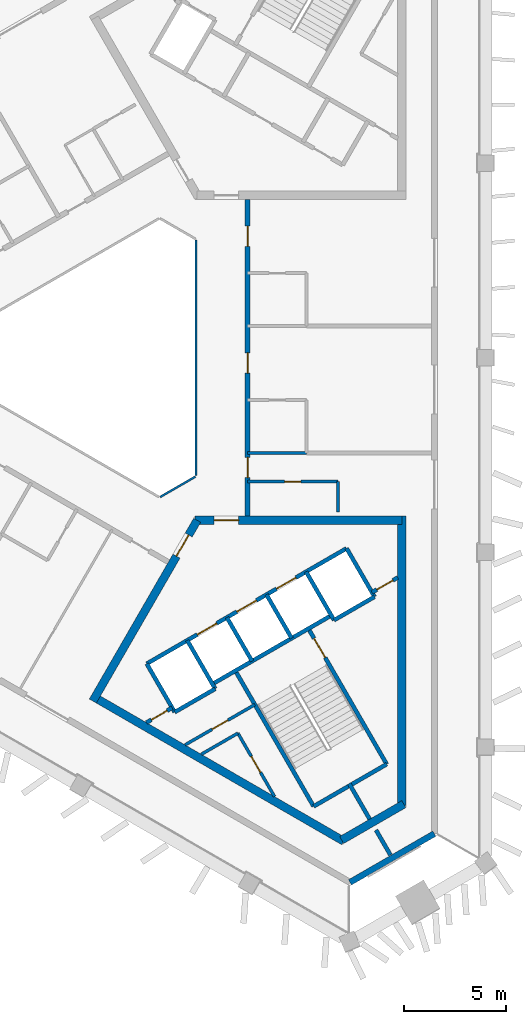
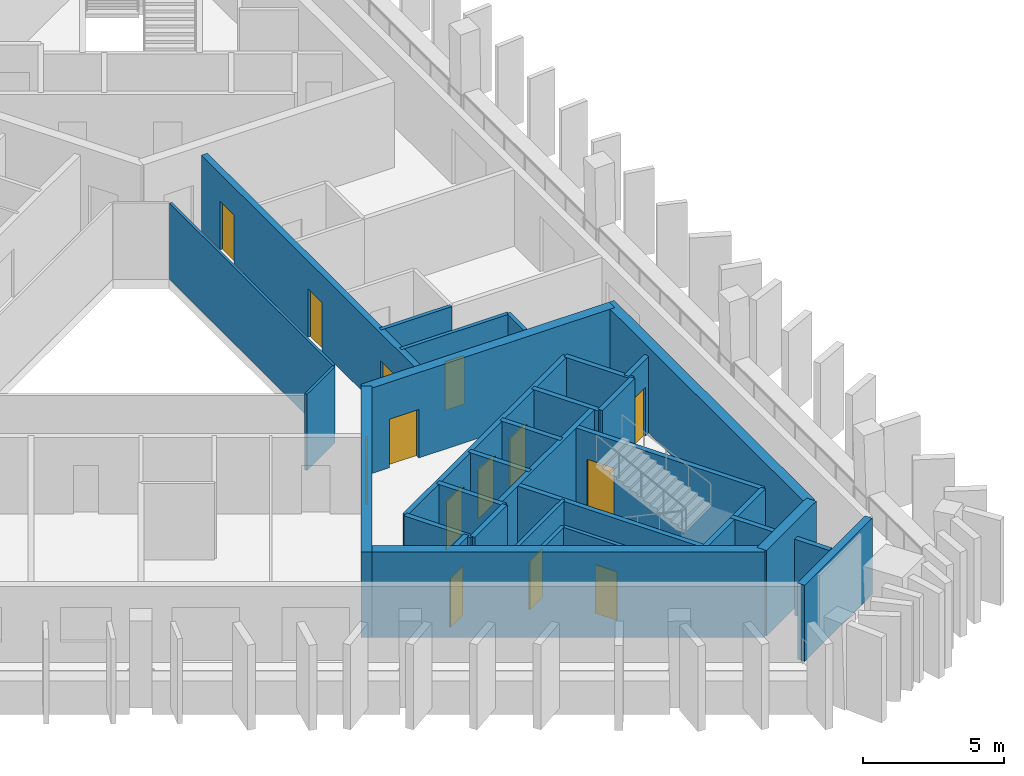
# One storey, part 3 of 9: 32 walls, 14 doors, 14 openings.
"""IFC4 building model written with IfcOpenShell, lengths in metres."""

from ifc_helpers import new_model, si_unit, direction, frame, frame_2d, origin, place, context, subcontext, project, spatial, rectangle, extrude, material, layer, layer_set, type_object, element, fill, save


model = new_model("IFC4")

# Units and contexts
model_context = context("Model", 3, precision=1e-05, world=origin(), true_north=direction((0.0, 1.0)))
body_context = subcontext(model_context, "Body", "Model", "MODEL_VIEW")
ifc_project = project(units=[si_unit("LENGTHUNIT", "METRE"), si_unit("AREAUNIT", "SQUARE_METRE"), si_unit("VOLUMEUNIT", "CUBIC_METRE"), si_unit("PLANEANGLEUNIT", "RADIAN"), si_unit("MASSUNIT", "GRAM", prefix="KILO")], contexts=[model_context])

# Site, building, storey
site_placement = place(None, origin())
site = spatial("IfcSite", under=ifc_project, at=site_placement, CompositionType="ELEMENT")
building_placement = place(site_placement, origin())
building = spatial("IfcBuilding", under=site, at=building_placement, Name="Jabali Bay Hotel Tower and Convention Centre", CompositionType="ELEMENT")
storey_placement = place(building_placement, frame((0.0, 0.0, 288.60009765625)))
storey = spatial("IfcBuildingStorey", under=building, at=storey_placement, Name="L71", CompositionType="ELEMENT", Elevation=288.60009765625)

# Walls
ifc_material_1 = material(Name="Fire-resistant glazing", Category="glass")
ifc_layer_1 = layer(ifc_material_1, 0.10009765625)
ifc_layer_set_1 = layer_set([ifc_layer_1], Name="Fire-resistant glazing")
wall_type_1 = type_object("IfcWallType", Name="Atrium glazed screen 100", PredefinedType="PARTITIONING", material=ifc_layer_set_1)
wall_1_placement = place(storey_placement, frame((79.56005859375, 74.205810546875, 0.0), z_axis=(0.0, 0.0, 1.0), x_axis=(0.0, 1.0, 0.0)))
element("IfcWall", 1, at=wall_1_placement, inside=storey, type_object=wall_type_1, Name="Atrium screen 1 L71", PredefinedType="PARTITIONING", context=body_context, shape_type="SweptSolid", body=[
    extrude(rectangle(XDim=11.58837890625, YDim=0.10009765625, at=frame_2d((5.794189453125, 0.0))), origin(), (0.0, 0.0, 1.0), 3.2998046875),
])
wall_2_placement = place(storey_placement, frame((77.7978515625, 73.15380859375, 0.0), z_axis=(0.0, 0.0, 1.0), x_axis=(0.866041268327, 0.499972520799, 0.0)))
element("IfcWall", 2, at=wall_2_placement, inside=storey, type_object=wall_type_1, Name="Atrium screen 6 L71", PredefinedType="PARTITIONING", context=body_context, shape_type="SweptSolid", body=[
    extrude(rectangle(XDim=2.0, YDim=0.10009765625, at=frame_2d((1.0, 0.0))), origin(), (0.0, 0.0, 1.0), 3.2998046875),
])
ifc_material_2 = material(Name="Concrete C40", Category="concrete")
ifc_layer_2 = layer(ifc_material_2, 0.199951171875)
ifc_layer_set_2 = layer_set([ifc_layer_2], Name="Concrete C40")
wall_type_2 = type_object("IfcWallType", Name="Core partition wall 200", PredefinedType="PARTITIONING", material=ifc_layer_set_2)
wall_3_placement = place(storey_placement, frame((87.090087890625, 59.0595703125, 0.0), z_axis=(0.0, 0.0, 1.0), x_axis=(0.499941815747, -0.866058993873, 0.0)))
element("IfcWall", 3, at=wall_3_placement, inside=storey, type_object=wall_type_2, Name="Core wall 2.5 L71", PredefinedType="PARTITIONING", context=body_context, shape_type="SweptSolid", body=[
    extrude(rectangle(XDim=2.023193359375, YDim=0.199951171875, at=frame_2d((1.01171875, 0.0))), origin(), (0.0, 0.0, 1.0), 3.2998046875),
])

# Wall, opening, door
wall_4_placement = place(storey_placement, frame((77.119873046875, 62.055908203125, 0.0), z_axis=(0.0, 0.0, 1.0), x_axis=(0.866054810376, 0.49994906283, 0.0)))
wall_4 = element("IfcWall", 4, at=wall_4_placement, inside=storey, type_object=wall_type_2, Name="Core wall 2.12 L71", PredefinedType="PARTITIONING", context=body_context, shape_type="SweptSolid", body=[
    extrude(rectangle(XDim=1.461181640625, YDim=0.199951171875, at=frame_2d((0.73046875, 0.0))), origin(), (0.0, 0.0, 1.0), 3.2998046875),
])
opening_1_placement = place(wall_4_placement, frame((0.280517578125, 0.0, 0.0)))
opening_1 = element("IfcOpeningElement", 5, at=opening_1_placement, cuts=wall_4, Name="Opening D1586", PredefinedType="OPENING", context=body_context, shape_type="SweptSolid", body=[
    extrude(rectangle(XDim=0.89990234375, YDim=2.10009765625, at=frame_2d((0.449951171875, 1.050048828125))), frame((0.0, 0.1103515625, 0.0), z_axis=(0.0, -1.0, 0.0), x_axis=(1.0, 0.0, 0.0)), (0.0, 0.0, 1.0), 0.220947265625),
])
ifc_material_3 = material(Name="Fire-rated steel door", Category="steel")
door_type_1 = type_object("IfcDoorType", Name="Vestibule fire door 900 x 2100", OperationType="NOTDEFINED", PredefinedType="NOTDEFINED", material=ifc_material_3)
door_1_placement = place(opening_1_placement, origin())
door_1 = element("IfcDoor", 6, at=door_1_placement, inside=storey, type_object=door_type_1, Name="Vestibule fire door D1586", OperationType="SINGLE_SWING_LEFT", OverallHeight=2.10009765625, OverallWidth=0.89990234375, PredefinedType="NOTDEFINED", context=body_context, shape_type="SweptSolid", body=[
    extrude(rectangle(XDim=0.89990234375, YDim=2.10009765625, at=frame_2d((0.449951171875, 1.050048828125))), frame((0.0, 0.02490234375, 0.0), z_axis=(0.0, -1.0, 0.0), x_axis=(1.0, 0.0, 0.0)), (0.0, 0.0, 1.0), 0.050048828125),
])
fill(opening_1, door_1)

wall_5_placement = place(storey_placement, frame((88.214599609375, 68.46142578125, 0.0), z_axis=(0.0, 0.0, 1.0), x_axis=(0.865982457891, 0.500074377092, 0.0)))
wall_5 = element("IfcWall", 7, at=wall_5_placement, inside=storey, type_object=wall_type_2, Name="Core wall 2.13 L71", PredefinedType="PARTITIONING", context=body_context, shape_type="SweptSolid", body=[
    extrude(rectangle(XDim=1.461181640625, YDim=0.199951171875, at=frame_2d((0.73046875, 0.0))), origin(), (0.0, 0.0, 1.0), 3.2998046875),
])
opening_2_placement = place(wall_5_placement, frame((0.280517578125, 0.0, 0.0)))
opening_2 = element("IfcOpeningElement", 8, at=opening_2_placement, cuts=wall_5, Name="Opening D1585", PredefinedType="OPENING", context=body_context, shape_type="SweptSolid", body=[
    extrude(rectangle(XDim=0.89990234375, YDim=2.10009765625, at=frame_2d((0.449951171875, 1.050048828125))), frame((0.0, 0.1103515625, 0.0), z_axis=(0.0, -1.0, 0.0), x_axis=(1.0, 0.0, 0.0)), (0.0, 0.0, 1.0), 0.220947265625),
])
door_2_placement = place(opening_2_placement, origin())
door_2 = element("IfcDoor", 9, at=door_2_placement, inside=storey, type_object=door_type_1, Name="Vestibule fire door D1585", OperationType="SINGLE_SWING_LEFT", OverallHeight=2.10009765625, OverallWidth=0.89990234375, PredefinedType="NOTDEFINED", context=body_context, shape_type="SweptSolid", body=[
    extrude(rectangle(XDim=0.89990234375, YDim=2.10009765625, at=frame_2d((0.449951171875, 1.050048828125))), frame((0.0, 0.02490234375, 0.0), z_axis=(0.0, -1.0, 0.0), x_axis=(1.0, 0.0, 0.0)), (0.0, 0.0, 1.0), 0.050048828125),
])
fill(opening_2, door_2)

ifc_material_4 = material(Name="Fire-rated board partition")
ifc_layer_3 = layer(ifc_material_4, 0.14990234375)
ifc_layer_set_3 = layer_set([ifc_layer_3], Name="Fire-rated board partition")
wall_type_3 = type_object("IfcWallType", Name="Core room partition 150", PredefinedType="PARTITIONING", material=ifc_layer_set_3)
wall_6_placement = place(storey_placement, frame((81.618896484375, 61.53564453125, 0.0), z_axis=(0.0, 0.0, 1.0), x_axis=(0.499992664208, -0.866029639064, 0.0)))
wall_6 = element("IfcWall", 10, at=wall_6_placement, inside=storey, type_object=wall_type_3, Name="Core wall 2.1 L71", PredefinedType="PARTITIONING", context=body_context, shape_type="SweptSolid", body=[
    extrude(rectangle(XDim=3.59765625, YDim=0.14990234375, at=frame_2d((1.798828125, 0.0))), origin(), (0.0, 0.0, 1.0), 3.2998046875),
])
opening_3_placement = place(wall_6_placement, frame((1.321533203125, 0.0, 0.0)))
opening_3 = element("IfcOpeningElement", 11, at=opening_3_placement, cuts=wall_6, Name="Opening D1588", PredefinedType="OPENING", context=body_context, shape_type="SweptSolid", body=[
    extrude(rectangle(XDim=0.89990234375, YDim=2.10009765625, at=frame_2d((0.449951171875, 1.050048828125))), frame((0.0, 0.08544921875, 0.0), z_axis=(0.0, -1.0, 0.0), x_axis=(1.0, 0.0, 0.0)), (0.0, 0.0, 1.0), 0.1708984375),
])
door_type_2 = type_object("IfcDoorType", Name="Core room door 900 x 2100", OperationType="NOTDEFINED", PredefinedType="NOTDEFINED", material=ifc_material_3)
door_3_placement = place(opening_3_placement, origin())
door_3 = element("IfcDoor", 12, at=door_3_placement, inside=storey, type_object=door_type_2, Name="Core room door D1588", OperationType="SINGLE_SWING_LEFT", OverallHeight=2.10009765625, OverallWidth=0.89990234375, PredefinedType="NOTDEFINED", context=body_context, shape_type="SweptSolid", body=[
    extrude(rectangle(XDim=0.89990234375, YDim=2.10009765625, at=frame_2d((0.449951171875, 1.050048828125))), frame((0.0, 0.02490234375, 0.0), z_axis=(0.0, -1.0, 0.0), x_axis=(1.0, 0.0, 0.0)), (0.0, 0.0, 1.0), 0.050048828125),
])
fill(opening_3, door_3)

wall_7_placement = place(storey_placement, frame((79.02001953125, 60.958984375, 0.0), z_axis=(0.0, 0.0, 1.0), x_axis=(0.866028661061, 0.499994358189, 0.0)))
wall_7 = element("IfcWall", 13, at=wall_7_placement, inside=storey, type_object=wall_type_3, Name="Core wall 2.16 L71", PredefinedType="PARTITIONING", context=body_context, shape_type="SweptSolid", body=[
    extrude(rectangle(XDim=3.9638671875, YDim=0.14990234375, at=frame_2d((1.98193359375, 0.0))), origin(), (0.0, 0.0, 1.0), 3.2998046875),
])
opening_4_placement = place(wall_7_placement, frame((1.531982421875, 0.0, 0.0)))
opening_4 = element("IfcOpeningElement", 14, at=opening_4_placement, cuts=wall_7, Name="Opening D1584", PredefinedType="OPENING", context=body_context, shape_type="SweptSolid", body=[
    extrude(rectangle(XDim=0.89990234375, YDim=2.10009765625, at=frame_2d((0.449951171875, 1.050048828125))), frame((0.0, 0.08544921875, 0.0), z_axis=(0.0, -1.0, 0.0), x_axis=(1.0, 0.0, 0.0)), (0.0, 0.0, 1.0), 0.1708984375),
])
door_4_placement = place(opening_4_placement, origin())
door_4 = element("IfcDoor", 15, at=door_4_placement, inside=storey, type_object=door_type_2, Name="Core room door D1584", OperationType="SINGLE_SWING_RIGHT", OverallHeight=2.10009765625, OverallWidth=0.89990234375, PredefinedType="NOTDEFINED", context=body_context, shape_type="SweptSolid", body=[
    extrude(rectangle(XDim=0.89990234375, YDim=2.10009765625, at=frame_2d((0.449951171875, 1.050048828125))), frame((0.0, 0.02490234375, 0.0), z_axis=(0.0, -1.0, 0.0), x_axis=(1.0, 0.0, 0.0)), (0.0, 0.0, 1.0), 0.050048828125),
])
fill(opening_4, door_4)

# Walls
wall_8_placement = place(storey_placement, frame((79.820068359375, 60.4970703125, 0.0), z_axis=(0.0, 0.0, 1.0), x_axis=(0.866021168401, 0.500007335828, 0.0)))
element("IfcWall", 16, at=wall_8_placement, inside=storey, type_object=wall_type_3, Name="Core wall 2.17 L71", PredefinedType="PARTITIONING", context=body_context, shape_type="SweptSolid", body=[
    extrude(rectangle(XDim=2.0771484375, YDim=0.14990234375, at=frame_2d((1.03857421875, 0.0))), origin(), (0.0, 0.0, 1.0), 3.2998046875),
])
ifc_layer_4 = layer(ifc_material_2, 0.199951171875)
ifc_layer_set_4 = layer_set([ifc_layer_4], Name="Concrete C40")
wall_type_4 = type_object("IfcWallType", Name="Core stair wall 200", PredefinedType="SOLIDWALL", material=ifc_layer_set_4)
for number, where, z_axis, x_axis, name in (
    (17, (77.13525390625, 64.95166015625, 0.0), (0.0, 0.0, 1.0), (0.499996545922, -0.866027397988, 0.0), "Core wall 2.0 L71"),
    (18, (79.127197265625, 66.1015625, 0.0), (0.0, 0.0, 1.0), (0.499996545922, -0.866027397988, 0.0), "Core wall 2.2 L71"),
):
    element("IfcWall", number, at=place(storey_placement, frame(where, z_axis=z_axis, x_axis=x_axis)), inside=storey, type_object=wall_type_4, Name=name, PredefinedType="SOLIDWALL", context=body_context, shape_type="SweptSolid", body=[
        extrude(rectangle(XDim=2.75, YDim=0.199951171875, at=frame_2d((1.375, 0.0))), origin(), (0.0, 0.0, 1.0), 3.2998046875),
    ])
wall_9_placement = place(storey_placement, frame((81.492919921875, 64.603759765625, 0.0), z_axis=(0.0, 0.0, 1.0), x_axis=(0.500006057782, -0.866021906294, 0.0)))
element("IfcWall", 19, at=wall_9_placement, inside=storey, type_object=wall_type_4, Name="Core wall 2.3 L71", PredefinedType="SOLIDWALL", context=body_context, shape_type="SweptSolid", body=[
    extrude(rectangle(XDim=7.7001953125, YDim=0.199951171875, at=frame_2d((3.85009765625, 0.0))), origin(), (0.0, 0.0, 1.0), 3.2998046875),
])
for number, where, z_axis, x_axis, name in (
    (20, (81.07568359375, 67.2265625, 0.0), (0.0, 0.0, 1.0), (0.50000366821, -0.866023285932, 0.0), "Core wall 2.4 L71"),
    (21, (83.024169921875, 68.3515625, 0.0), (0.0, 0.0, 1.0), (0.50000366821, -0.866023285932, 0.0), "Core wall 2.6 L71"),
):
    element("IfcWall", number, at=place(storey_placement, frame(where, z_axis=z_axis, x_axis=x_axis)), inside=storey, type_object=wall_type_4, Name=name, PredefinedType="SOLIDWALL", context=body_context, shape_type="SweptSolid", body=[
        extrude(rectangle(XDim=2.47998046875, YDim=0.199951171875, at=frame_2d((1.239990234375, 0.0))), origin(), (0.0, 0.0, 1.0), 3.2998046875),
    ])

# Wall, opening, door
wall_10_placement = place(storey_placement, frame((85.0869140625, 66.6787109375, 0.0), z_axis=(0.0, 0.0, 1.0), x_axis=(0.500019787375, -0.866013979237, 0.0)))
wall_10 = element("IfcWall", 22, at=wall_10_placement, inside=storey, type_object=wall_type_4, Name="Core wall 2.7 L71", PredefinedType="SOLIDWALL", context=body_context, shape_type="SweptSolid", body=[
    extrude(rectangle(XDim=7.699951171875, YDim=0.199951171875, at=frame_2d((3.85009765625, 0.0))), origin(), (0.0, 0.0, 1.0), 3.2998046875),
])
opening_5_placement = place(wall_10_placement, frame((0.550048828125, 0.0, 0.0)))
opening_5 = element("IfcOpeningElement", 23, at=opening_5_placement, cuts=wall_10, Name="Opening D1587", PredefinedType="OPENING", context=body_context, shape_type="SweptSolid", body=[
    extrude(rectangle(XDim=1.10009765625, YDim=2.10009765625, at=frame_2d((0.550048828125, 1.050048828125))), frame((0.0, 0.1103515625, 0.0), z_axis=(0.0, -1.0, 0.0), x_axis=(1.0, 0.0, 0.0)), (0.0, 0.0, 1.0), 0.220947265625),
])
door_type_3 = type_object("IfcDoorType", Name="Stair fire door 1100 x 2100", OperationType="NOTDEFINED", PredefinedType="NOTDEFINED", material=ifc_material_3)
door_5_placement = place(opening_5_placement, origin())
door_5 = element("IfcDoor", 24, at=door_5_placement, inside=storey, type_object=door_type_3, Name="Stair fire door D1587", OperationType="SINGLE_SWING_RIGHT", OverallHeight=2.10009765625, OverallWidth=1.10009765625, PredefinedType="NOTDEFINED", context=body_context, shape_type="SweptSolid", body=[
    extrude(rectangle(XDim=1.10009765625, YDim=2.10009765625, at=frame_2d((0.550048828125, 1.050048828125))), frame((0.0, 0.02490234375, 0.0), z_axis=(0.0, -1.0, 0.0), x_axis=(1.0, 0.0, 0.0)), (0.0, 0.0, 1.0), 0.050048828125),
])
fill(opening_5, door_5)

# Walls
for number, where, z_axis, x_axis, name in (
    (25, (84.972900390625, 69.4765625, 0.0), (0.0, 0.0, 1.0), (0.499996545922, -0.866027397988, 0.0), "Core wall 2.8 L71"),
    (26, (86.964599609375, 70.62646484375, 0.0), (0.0, 0.0, 1.0), (0.499996545922, -0.866027397988, 0.0), "Core wall 2.9 L71"),
):
    element("IfcWall", number, at=place(storey_placement, frame(where, z_axis=z_axis, x_axis=x_axis)), inside=storey, type_object=wall_type_4, Name=name, PredefinedType="SOLIDWALL", context=body_context, shape_type="SweptSolid", body=[
        extrude(rectangle(XDim=2.75, YDim=0.199951171875, at=frame_2d((1.375, 0.0))), origin(), (0.0, 0.0, 1.0), 3.2998046875),
    ])

# Wall, openings, doors
wall_11_placement = place(storey_placement, frame((77.13525390625, 64.95166015625, 0.0), z_axis=(0.0, 0.0, 1.0), x_axis=(0.866031916153, 0.499988720078, 0.0)))
wall_11 = element("IfcWall", 27, at=wall_11_placement, inside=storey, type_object=wall_type_4, Name="Core wall 2.10 L71", PredefinedType="SOLIDWALL", context=body_context, shape_type="SweptSolid", body=[
    extrude(rectangle(XDim=11.349853515625, YDim=0.199951171875, at=frame_2d((5.6748046875, 0.0))), origin(), (0.0, 0.0, 1.0), 3.2998046875),
])
opening_6_placement = place(wall_11_placement, frame((2.875, 0.0, 0.0)))
opening_6 = element("IfcOpeningElement", 28, at=opening_6_placement, cuts=wall_11, Name="Opening LD12-L71", PredefinedType="OPENING", context=body_context, shape_type="SweptSolid", body=[
    extrude(rectangle(XDim=1.10009765625, YDim=2.10009765625, at=frame_2d((0.550048828125, 1.050048828125))), frame((0.0, 0.1103515625, 0.0), z_axis=(0.0, -1.0, 0.0), x_axis=(1.0, 0.0, 0.0)), (0.0, 0.0, 1.0), 0.220947265625),
])
opening_7_placement = place(wall_11_placement, frame((5.125, 0.0, 0.0)))
opening_7 = element("IfcOpeningElement", 29, at=opening_7_placement, cuts=wall_11, Name="Opening LD13-L71", PredefinedType="OPENING", context=body_context, shape_type="SweptSolid", body=[
    extrude(rectangle(XDim=1.10009765625, YDim=2.10009765625, at=frame_2d((0.550048828125, 1.050048828125))), frame((0.0, 0.1103515625, 0.0), z_axis=(0.0, -1.0, 0.0), x_axis=(1.0, 0.0, 0.0)), (0.0, 0.0, 1.0), 0.220947265625),
])
opening_8_placement = place(wall_11_placement, frame((7.375, 0.0, 0.0)))
opening_8 = element("IfcOpeningElement", 30, at=opening_8_placement, cuts=wall_11, Name="Opening LD14-L71", PredefinedType="OPENING", context=body_context, shape_type="SweptSolid", body=[
    extrude(rectangle(XDim=1.10009765625, YDim=2.10009765625, at=frame_2d((0.550048828125, 1.050048828125))), frame((0.0, 0.1103515625, 0.0), z_axis=(0.0, -1.0, 0.0), x_axis=(1.0, 0.0, 0.0)), (0.0, 0.0, 1.0), 0.220947265625),
])
ifc_material_5 = material(Name="Stainless steel landing door", Category="steel")
door_type_4 = type_object("IfcDoorType", Name="Landing door 1100 x 2100", OperationType="NOTDEFINED", PredefinedType="NOTDEFINED", material=ifc_material_5)
door_6_placement = place(opening_6_placement, origin())
door_6 = element("IfcDoor", 31, at=door_6_placement, inside=storey, type_object=door_type_4, Name="Landing doors LD12-L71", OperationType="SLIDING_TO_LEFT", OverallHeight=2.10009765625, OverallWidth=1.10009765625, PredefinedType="NOTDEFINED", context=body_context, shape_type="SweptSolid", body=[
    extrude(rectangle(XDim=1.10009765625, YDim=2.10009765625, at=frame_2d((0.550048828125, 1.050048828125))), frame((0.0, 0.02490234375, 0.0), z_axis=(0.0, -1.0, 0.0), x_axis=(1.0, 0.0, 0.0)), (0.0, 0.0, 1.0), 0.050048828125),
])
fill(opening_6, door_6)
door_7_placement = place(opening_7_placement, origin())
door_7 = element("IfcDoor", 32, at=door_7_placement, inside=storey, type_object=door_type_4, Name="Landing doors LD13-L71", OperationType="SLIDING_TO_RIGHT", OverallHeight=2.10009765625, OverallWidth=1.10009765625, PredefinedType="NOTDEFINED", context=body_context, shape_type="SweptSolid", body=[
    extrude(rectangle(XDim=1.10009765625, YDim=2.10009765625, at=frame_2d((0.550048828125, 1.050048828125))), frame((0.0, 0.02490234375, 0.0), z_axis=(0.0, -1.0, 0.0), x_axis=(1.0, 0.0, 0.0)), (0.0, 0.0, 1.0), 0.050048828125),
])
fill(opening_7, door_7)
door_8_placement = place(opening_8_placement, origin())
door_8 = element("IfcDoor", 33, at=door_8_placement, inside=storey, type_object=door_type_4, Name="Landing doors LD14-L71", OperationType="SLIDING_TO_LEFT", OverallHeight=2.10009765625, OverallWidth=1.10009765625, PredefinedType="NOTDEFINED", context=body_context, shape_type="SweptSolid", body=[
    extrude(rectangle(XDim=1.10009765625, YDim=2.10009765625, at=frame_2d((0.550048828125, 1.050048828125))), frame((0.0, 0.02490234375, 0.0), z_axis=(0.0, -1.0, 0.0), x_axis=(1.0, 0.0, 0.0)), (0.0, 0.0, 1.0), 0.050048828125),
])
fill(opening_8, door_8)

# Walls
wall_12_placement = place(storey_placement, frame((80.3671875, 63.953857421875, 0.0), z_axis=(0.0, 0.0, 1.0), x_axis=(0.866026575979, 0.499997969693, 0.0)))
element("IfcWall", 34, at=wall_12_placement, inside=storey, type_object=wall_type_4, Name="Core wall 2.11 L71", PredefinedType="SOLIDWALL", context=body_context, shape_type="SweptSolid", body=[
    extrude(rectangle(XDim=6.75, YDim=0.199951171875, at=frame_2d((3.375, 0.0))), origin(), (0.0, 0.0, 1.0), 3.2998046875),
])
wall_13_placement = place(storey_placement, frame((78.51025390625, 62.570068359375, 0.0), z_axis=(0.0, 0.0, 1.0), x_axis=(0.866053019151, 0.499952165731, 0.0)))
element("IfcWall", 35, at=wall_13_placement, inside=storey, type_object=wall_type_4, Name="Core wall 2.14 L71", PredefinedType="SOLIDWALL", context=body_context, shape_type="SweptSolid", body=[
    extrude(rectangle(XDim=2.300048828125, YDim=0.199951171875, at=frame_2d((1.14990234375, 0.0))), origin(), (0.0, 0.0, 1.0), 3.2998046875),
])
wall_14_placement = place(storey_placement, frame((86.347900390625, 67.094970703125, 0.0), z_axis=(0.0, 0.0, 1.0), x_axis=(0.86602648383, 0.499998129301, 0.0)))
element("IfcWall", 36, at=wall_14_placement, inside=storey, type_object=wall_type_4, Name="Core wall 2.15 L71", PredefinedType="SOLIDWALL", context=body_context, shape_type="SweptSolid", body=[
    extrude(rectangle(XDim=2.2998046875, YDim=0.199951171875, at=frame_2d((1.14990234375, 0.0))), origin(), (0.0, 0.0, 1.0), 3.2998046875),
])
wall_15_placement = place(storey_placement, frame((85.343017578125, 57.935302734375, 0.0), z_axis=(0.0, 0.0, 1.0), x_axis=(0.866004344652, 0.500036473714, 0.0)))
element("IfcWall", 37, at=wall_15_placement, inside=storey, type_object=wall_type_4, Name="Core wall 2.18 L71", PredefinedType="SOLIDWALL", context=body_context, shape_type="SweptSolid", body=[
    extrude(rectangle(XDim=4.150146484375, YDim=0.199951171875, at=frame_2d((2.0751953125, 0.0))), origin(), (0.0, 0.0, 1.0), 3.2998046875),
])

# Wall, opening, door
ifc_material_6 = material(Name="Concrete C60", Category="concrete")
ifc_layer_5 = layer(ifc_material_6, 0.39990234375)
ifc_layer_set_5 = layer_set([ifc_layer_5], Name="Concrete C60")
wall_type_5 = type_object("IfcWallType", Name="Core wall 400", PredefinedType="SHEAR", material=ifc_layer_set_5)
wall_16_placement = place(storey_placement, frame((79.615478515625, 72.005859375, 0.0), z_axis=(0.0, 0.0, 1.0), x_axis=(-0.50000177223, -0.866024380585, 0.0)))
wall_16 = element("IfcWall", 38, at=wall_16_placement, inside=storey, type_object=wall_type_5, Name="Core wall 3.1 L71", PredefinedType="SHEAR", context=body_context, shape_type="SweptSolid", body=[
    extrude(rectangle(XDim=10.2646484375, YDim=0.39990234375, at=frame_2d((5.13232421875, 0.0))), origin(), (0.0, 0.0, 1.0), 3.699951171875),
])
opening_9_placement = place(wall_16_placement, frame((0.83447265625, 0.0, 0.0)))
opening_9 = element("IfcOpeningElement", 39, at=opening_9_placement, cuts=wall_16, Name="Opening D1582", PredefinedType="OPENING", context=body_context, shape_type="SweptSolid", body=[
    extrude(rectangle(XDim=1.199951171875, YDim=2.10009765625, at=frame_2d((0.60009765625, 1.050048828125))), frame((0.0, 0.21044921875, 0.0), z_axis=(0.0, -1.0, 0.0), x_axis=(1.0, 0.0, 0.0)), (0.0, 0.0, 1.0), 0.4208984375),
])
door_type_5 = type_object("IfcDoorType", Name="Corridor end fire door 1200 x 2100", OperationType="NOTDEFINED", PredefinedType="NOTDEFINED", material=ifc_material_3)
door_9_placement = place(opening_9_placement, origin())
door_9 = element("IfcDoor", 40, at=door_9_placement, inside=storey, type_object=door_type_5, Name="Corridor end fire door D1582", OperationType="SINGLE_SWING_RIGHT", OverallHeight=2.10009765625, OverallWidth=1.199951171875, PredefinedType="NOTDEFINED", context=body_context, shape_type="SweptSolid", body=[
    extrude(rectangle(XDim=1.199951171875, YDim=2.10009765625, at=frame_2d((0.60009765625, 1.050048828125))), frame((0.0, 0.02490234375, 0.0), z_axis=(0.0, -1.0, 0.0), x_axis=(1.0, 0.0, 0.0)), (0.0, 0.0, 1.0), 0.050048828125),
])
fill(opening_9, door_9)

# Walls
wall_17_placement = place(storey_placement, frame((74.583251953125, 63.28955078125, 0.0), z_axis=(0.0, 0.0, 1.0), x_axis=(0.866024494188, -0.500001575463, 0.0)))
element("IfcWall", 41, at=wall_17_placement, inside=storey, type_object=wall_type_5, Name="Core wall 3.2 L71", PredefinedType="SHEAR", context=body_context, shape_type="SweptSolid", body=[
    extrude(rectangle(XDim=14.13330078125, YDim=0.39990234375, at=frame_2d((7.066650390625, 0.0))), origin(), (0.0, 0.0, 1.0), 3.699951171875),
])
wall_18_placement = place(storey_placement, frame((86.72314453125, 56.28076171875, 0.0), z_axis=(0.0, 0.0, 1.0), x_axis=(0.866025485263, 0.499999858875, 0.0)))
element("IfcWall", 42, at=wall_18_placement, inside=storey, type_object=wall_type_5, Name="Core wall 3.3 L71", PredefinedType="SHEAR", context=body_context, shape_type="SweptSolid", body=[
    extrude(rectangle(XDim=3.52978515625, YDim=0.39990234375, at=frame_2d((1.764892578125, 0.0))), origin(), (0.0, 0.0, 1.0), 3.699951171875),
])
wall_19_placement = place(storey_placement, frame((89.679931640625, 57.98779296875, 0.0), z_axis=(0.0, 0.0, 1.0), x_axis=(0.0, 1.0, 0.0)))
element("IfcWall", 43, at=wall_19_placement, inside=storey, type_object=wall_type_5, Name="Core wall 3.4 L71", PredefinedType="SHEAR", context=body_context, shape_type="SweptSolid", body=[
    extrude(rectangle(XDim=14.218017578125, YDim=0.39990234375, at=frame_2d((7.10888671875, 0.0))), origin(), (0.0, 0.0, 1.0), 3.699951171875),
])

# Wall, opening, door
wall_20_placement = place(storey_placement, frame((89.679931640625, 72.005859375, 0.0), z_axis=(0.0, 0.0, 1.0), x_axis=(-1.0, 0.0, 0.0)))
wall_20 = element("IfcWall", 44, at=wall_20_placement, inside=storey, type_object=wall_type_5, Name="Core wall 3.5 L71", PredefinedType="SHEAR", context=body_context, shape_type="SweptSolid", body=[
    extrude(rectangle(XDim=10.179931640625, YDim=0.39990234375, at=frame_2d((5.08984375, 0.0))), origin(), (0.0, 0.0, 1.0), 3.699951171875),
])
opening_10_placement = place(wall_20_placement, frame((8.030029296875, 0.0, 0.0)))
opening_10 = element("IfcOpeningElement", 45, at=opening_10_placement, cuts=wall_20, Name="Opening D1583", PredefinedType="OPENING", context=body_context, shape_type="SweptSolid", body=[
    extrude(rectangle(XDim=1.199951171875, YDim=2.10009765625, at=frame_2d((0.60009765625, 1.050048828125))), frame((0.0, 0.21044921875, 0.0), z_axis=(0.0, -1.0, 0.0), x_axis=(1.0, 0.0, 0.0)), (0.0, 0.0, 1.0), 0.4208984375),
])
door_10_placement = place(opening_10_placement, origin())
door_10 = element("IfcDoor", 46, at=door_10_placement, inside=storey, type_object=door_type_5, Name="Corridor end fire door D1583", OperationType="SINGLE_SWING_LEFT", OverallHeight=2.10009765625, OverallWidth=1.199951171875, PredefinedType="NOTDEFINED", context=body_context, shape_type="SweptSolid", body=[
    extrude(rectangle(XDim=1.199951171875, YDim=2.10009765625, at=frame_2d((0.60009765625, 1.050048828125))), frame((0.0, 0.02490234375, 0.0), z_axis=(0.0, -1.0, 0.0), x_axis=(1.0, 0.0, 0.0)), (0.0, 0.0, 1.0), 0.050048828125),
])
fill(opening_10, door_10)

# Wall, openings, doors
ifc_layer_6 = layer(ifc_material_6, 0.25)
ifc_layer_set_6 = layer_set([ifc_layer_6], Name="Concrete C60")
wall_type_6 = type_object("IfcWallType", Name="Corridor wall 250", PredefinedType="SHEAR", material=ifc_layer_set_6)
wall_21_placement = place(storey_placement, frame((82.10009765625, 72.205810546875, 0.0), z_axis=(0.0, 0.0, 1.0), x_axis=(0.0, 1.0, 0.0)))
wall_21 = element("IfcWall", 47, at=wall_21_placement, inside=storey, type_object=wall_type_6, Name="Corridor wall 1 L71", PredefinedType="SHEAR", context=body_context, shape_type="SweptSolid", body=[
    extrude(rectangle(XDim=15.58837890625, YDim=0.25, at=frame_2d((7.794189453125, 0.0))), origin(), (0.0, 0.0, 1.0), 3.2998046875),
])
opening_11_placement = place(wall_21_placement, frame((1.897705078125, 0.0, 0.0)))
opening_11 = element("IfcOpeningElement", 48, at=opening_11_placement, cuts=wall_21, Name="Opening 7102", PredefinedType="OPENING", context=body_context, shape_type="SweptSolid", body=[
    extrude(rectangle(XDim=1.0, YDim=2.10009765625, at=frame_2d((0.5, 1.050048828125))), frame((0.0, 0.135498046875, 0.0), z_axis=(0.0, -1.0, 0.0), x_axis=(1.0, 0.0, 0.0)), (0.0, 0.0, 1.0), 0.27099609375),
])
opening_12_placement = place(wall_21_placement, frame((7.035400390625, 0.0, 0.0)))
opening_12 = element("IfcOpeningElement", 49, at=opening_12_placement, cuts=wall_21, Name="Opening 7104", PredefinedType="OPENING", context=body_context, shape_type="SweptSolid", body=[
    extrude(rectangle(XDim=1.0, YDim=2.10009765625, at=frame_2d((0.5, 1.050048828125))), frame((0.0, 0.135498046875, 0.0), z_axis=(0.0, -1.0, 0.0), x_axis=(1.0, 0.0, 0.0)), (0.0, 0.0, 1.0), 0.27099609375),
])
opening_13_placement = place(wall_21_placement, frame((13.270751953125, 0.0, 0.0)))
opening_13 = element("IfcOpeningElement", 50, at=opening_13_placement, cuts=wall_21, Name="Opening 7106", PredefinedType="OPENING", context=body_context, shape_type="SweptSolid", body=[
    extrude(rectangle(XDim=1.0, YDim=2.10009765625, at=frame_2d((0.5, 1.050048828125))), frame((0.0, 0.135498046875, 0.0), z_axis=(0.0, -1.0, 0.0), x_axis=(1.0, 0.0, 0.0)), (0.0, 0.0, 1.0), 0.27099609375),
])
ifc_material_7 = material(Name="Timber", Category="wood")
door_type_6 = type_object("IfcDoorType", Name="Guest room door 1000 x 2100", OperationType="NOTDEFINED", PredefinedType="NOTDEFINED", material=ifc_material_7)
door_11_placement = place(opening_11_placement, origin())
door_11 = element("IfcDoor", 51, at=door_11_placement, inside=storey, type_object=door_type_6, Name="Door 7102", OperationType="SINGLE_SWING_LEFT", OverallHeight=2.10009765625, OverallWidth=1.0, PredefinedType="NOTDEFINED", context=body_context, shape_type="SweptSolid", body=[
    extrude(rectangle(XDim=1.0, YDim=2.10009765625, at=frame_2d((0.5, 1.050048828125))), frame((0.0, 0.02490234375, 0.0), z_axis=(0.0, -1.0, 0.0), x_axis=(1.0, 0.0, 0.0)), (0.0, 0.0, 1.0), 0.050048828125),
])
fill(opening_11, door_11)
door_12_placement = place(opening_12_placement, origin())
door_12 = element("IfcDoor", 52, at=door_12_placement, inside=storey, type_object=door_type_6, Name="Door 7104", OperationType="SINGLE_SWING_LEFT", OverallHeight=2.10009765625, OverallWidth=1.0, PredefinedType="NOTDEFINED", context=body_context, shape_type="SweptSolid", body=[
    extrude(rectangle(XDim=1.0, YDim=2.10009765625, at=frame_2d((0.5, 1.050048828125))), frame((0.0, 0.02490234375, 0.0), z_axis=(0.0, -1.0, 0.0), x_axis=(1.0, 0.0, 0.0)), (0.0, 0.0, 1.0), 0.050048828125),
])
fill(opening_12, door_12)
door_13_placement = place(opening_13_placement, origin())
door_13 = element("IfcDoor", 53, at=door_13_placement, inside=storey, type_object=door_type_6, Name="Door 7106", OperationType="SINGLE_SWING_RIGHT", OverallHeight=2.10009765625, OverallWidth=1.0, PredefinedType="NOTDEFINED", context=body_context, shape_type="SweptSolid", body=[
    extrude(rectangle(XDim=1.0, YDim=2.10009765625, at=frame_2d((0.5, 1.050048828125))), frame((0.0, 0.02490234375, 0.0), z_axis=(0.0, -1.0, 0.0), x_axis=(1.0, 0.0, 0.0)), (0.0, 0.0, 1.0), 0.050048828125),
])
fill(opening_13, door_13)

# Wall
ifc_layer_7 = layer(ifc_material_2, 0.300048828125)
ifc_layer_set_7 = layer_set([ifc_layer_7], Name="Concrete C40")
wall_type_7 = type_object("IfcWallType", Name="External wall 300", PredefinedType="SOLIDWALL", material=ifc_layer_set_7)
wall_22_placement = place(storey_placement, frame((91.279052734375, 56.59228515625, 0.0), z_axis=(0.0, 0.0, 1.0), x_axis=(-0.866022570692, -0.500004907028, 0.0)))
element("IfcWall", 54, at=wall_22_placement, inside=storey, type_object=wall_type_7, Name="External wall south-east chamfer L71", PredefinedType="SOLIDWALL", context=body_context, shape_type="SweptSolid", body=[
    extrude(rectangle(XDim=4.78857421875, YDim=0.300048828125, at=frame_2d((2.394287109375, 0.0))), origin(), (0.0, 0.0, 1.0), 3.2998046875),
])

# Wall, opening, door
ifc_material_8 = material(Name="Plasterboard on steel stud", Category="steel")
ifc_layer_8 = layer(ifc_material_8, 0.14990234375)
ifc_layer_set_8 = layer_set([ifc_layer_8], Name="Plasterboard on steel stud")
wall_type_8 = type_object("IfcWallType", Name="Partition 150 wet", PredefinedType="PARTITIONING", material=ifc_layer_set_8)
wall_23_placement = place(storey_placement, frame((82.10009765625, 73.90576171875, 0.0), z_axis=(0.0, 0.0, 1.0), x_axis=(1.0, 0.0, 0.0)))
wall_23 = element("IfcWall", 55, at=wall_23_placement, inside=storey, type_object=wall_type_8, Name="Partition P03 L71 001", PredefinedType="PARTITIONING", context=body_context, shape_type="SweptSolid", body=[
    extrude(rectangle(XDim=4.435302734375, YDim=0.14990234375, at=frame_2d((2.2177734375, 0.0))), origin(), (0.0, 0.0, 1.0), 3.2998046875),
])
opening_14_placement = place(wall_23_placement, frame((1.818115234375, 0.0, 0.0)))
opening_14 = element("IfcOpeningElement", 56, at=opening_14_placement, cuts=wall_23, Name="Opening 7101", PredefinedType="OPENING", context=body_context, shape_type="SweptSolid", body=[
    extrude(rectangle(XDim=0.800048828125, YDim=2.10009765625, at=frame_2d((0.39990234375, 1.050048828125))), frame((0.0, 0.08544921875, 0.0), z_axis=(0.0, -1.0, 0.0), x_axis=(1.0, 0.0, 0.0)), (0.0, 0.0, 1.0), 0.1708984375),
])
door_type_7 = type_object("IfcDoorType", Name="En-suite door 800 x 2100", OperationType="NOTDEFINED", PredefinedType="NOTDEFINED", material=ifc_material_7)
door_14_placement = place(opening_14_placement, origin())
door_14 = element("IfcDoor", 57, at=door_14_placement, inside=storey, type_object=door_type_7, Name="Door 7101", OperationType="SINGLE_SWING_RIGHT", OverallHeight=2.10009765625, OverallWidth=0.800048828125, PredefinedType="NOTDEFINED", context=body_context, shape_type="SweptSolid", body=[
    extrude(rectangle(XDim=0.800048828125, YDim=2.10009765625, at=frame_2d((0.39990234375, 1.050048828125))), frame((0.0, 0.02490234375, 0.0), z_axis=(0.0, -1.0, 0.0), x_axis=(1.0, 0.0, 0.0)), (0.0, 0.0, 1.0), 0.050048828125),
])
fill(opening_14, door_14)

# Walls
wall_24_placement = place(storey_placement, frame((86.535400390625, 73.90576171875, 0.0), z_axis=(0.0, 0.0, 1.0), x_axis=(0.0, -1.0, 0.0)))
element("IfcWall", 58, at=wall_24_placement, inside=storey, type_object=wall_type_8, Name="Partition P03 L71 002", PredefinedType="PARTITIONING", context=body_context, shape_type="SweptSolid", body=[
    extrude(rectangle(XDim=1.5009765625, YDim=0.14990234375, at=frame_2d((0.75048828125, 0.0))), origin(), (0.0, 0.0, 1.0), 3.2998046875),
])
wall_25_placement = place(storey_placement, frame((85.0, 75.323486328125, 0.0), z_axis=(0.0, 0.0, 1.0), x_axis=(-1.0, 0.0, 0.0)))
element("IfcWall", 59, at=wall_25_placement, inside=storey, type_object=wall_type_8, Name="Partition P03 L71 004", PredefinedType="PARTITIONING", context=body_context, shape_type="SweptSolid", body=[
    extrude(rectangle(XDim=2.89990234375, YDim=0.14990234375, at=frame_2d((1.449951171875, 0.0))), origin(), (0.0, 0.0, 1.0), 3.2998046875),
])
ifc_layer_9 = layer(ifc_material_8, 0.199951171875)
ifc_layer_set_9 = layer_set([ifc_layer_9], Name="Plasterboard on steel stud")
wall_type_9 = type_object("IfcWallType", Name="Partition 200 party", PredefinedType="PARTITIONING", material=ifc_layer_set_9)
wall_26_placement = place(storey_placement, frame((88.412353515625, 56.77099609375, 0.0), z_axis=(0.0, 0.0, 1.0), x_axis=(0.500119836232, -0.865956205248, 0.0)))
element("IfcWall", 60, at=wall_26_placement, inside=storey, type_object=wall_type_9, Name="Partition P01 L71 005", PredefinedType="PARTITIONING", context=body_context, shape_type="SweptSolid", body=[
    extrude(rectangle(XDim=1.418212890625, YDim=0.199951171875, at=frame_2d((0.708984375, 0.0))), origin(), (0.0, 0.0, 1.0), 3.2998046875),
])

save(model, "model.ifc")
